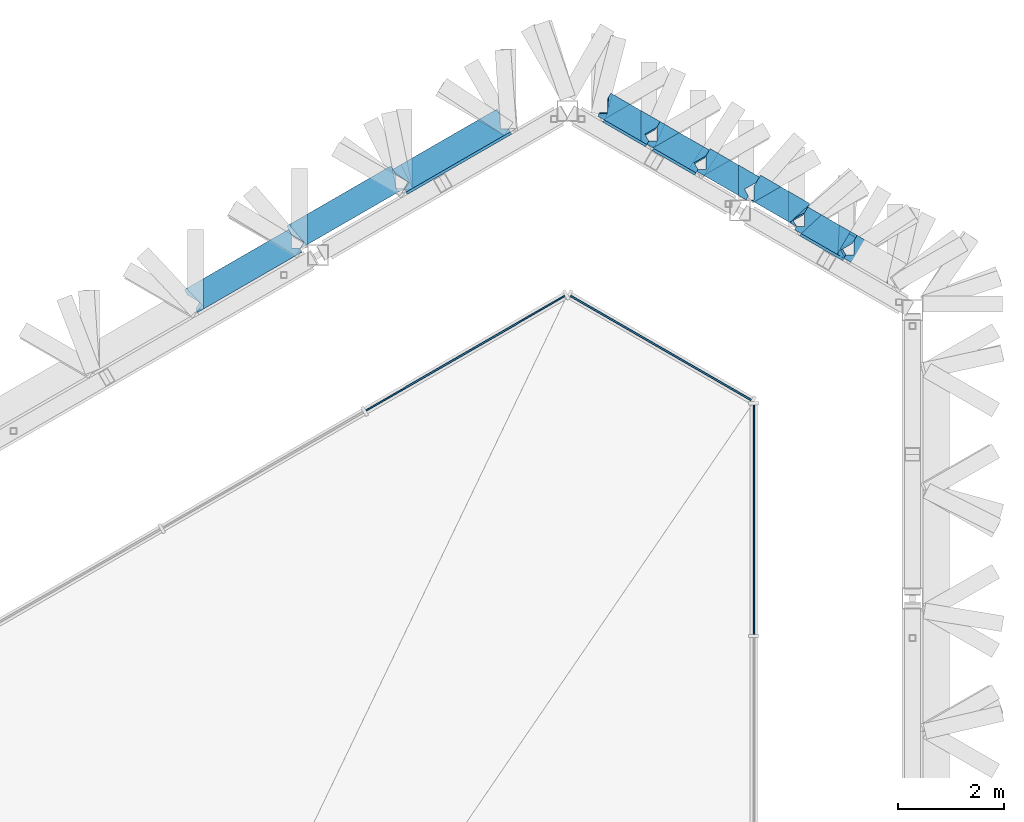
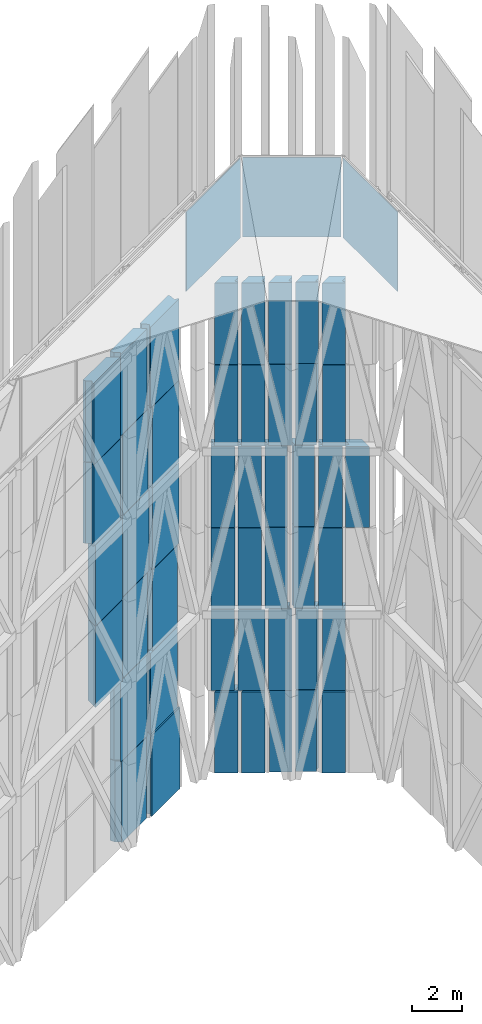
# One storey, part 35 of 45: 50 plates, 3 elements without a shape of their own.
"""IFC4 building model written with IfcOpenShell, lengths in metres."""

import ifcopenshell
import ifcopenshell.guid

model = None  # the IFC model being written
_history = None  # IfcOwnerHistory: only IFC2X3 demands one
_inside = {}  # id of a spatial element -> (the spatial element, [elements in it])
_under = {}  # id of a project, library or spatial element -> (it, [spatial elements below it])
_declared = {}  # id of a project -> (the project, [libraries it declares])
_typed = {}  # id of a type object -> (the type object, [elements of that type])
_made_of = {}  # id of a material, layer set ... -> (it, [elements and type objects made of it])


def new_model(schema):
    """Start an empty IFC model of exactly this schema.

    Asked for "IFC4X3", IfcOpenShell would pick the latest addendum, in which some entities
    have other attributes; the version numbers below select the first issue.
    IFC2X3 requires an IfcOwnerHistory on every rooted entity: one is made here for all.
    """
    global model, _history
    if schema == "IFC4X3":
        model = ifcopenshell.file(schema_version=(4, 3, 0, 0))
    else:
        model = ifcopenshell.file(schema=schema)
    _inside.clear()
    _under.clear()
    _declared.clear()
    _typed.clear()
    _made_of.clear()
    _history = None
    if model.schema == "IFC2X3":
        org = make("IfcOrganization", Name="unknown")
        user = make(
            "IfcPersonAndOrganization",
            ThePerson=make("IfcPerson", FamilyName="unknown"),
            TheOrganization=org,
        )
        app = make(
            "IfcApplication",
            ApplicationDeveloper=org,
            Version="unknown",
            ApplicationFullName="unknown",
            ApplicationIdentifier="unknown",
        )
        _history = make(
            "IfcOwnerHistory",
            OwningUser=user,
            OwningApplication=app,
            ChangeAction="ADDED",
            CreationDate=0,
        )
    return model


def make(cls, **values):
    """One entity of the class cls with the attributes given. An attribute that is None is left unset."""
    return model.create_entity(
        cls, **{name: value for name, value in values.items() if value is not None}
    )


def rooted(cls, **values):
    """An entity with a GlobalId (a new one), such as an element, a storey or a relation."""
    return make(cls, GlobalId=ifcopenshell.guid.new(), OwnerHistory=_history, **values)


def si_unit(unit_type, name, prefix=None):
    """IfcSIUnit, for example si_unit("LENGTHUNIT", "METRE", prefix="MILLI")."""
    return make("IfcSIUnit", UnitType=unit_type, Prefix=prefix, Name=name)


def assignment(units):
    """IfcUnitAssignment: the units of a project."""
    return None if units is None else make("IfcUnitAssignment", Units=units)


def point(xyz):
    """IfcCartesianPoint."""
    return None if xyz is None else make("IfcCartesianPoint", Coordinates=xyz)


def direction(xyz):
    """IfcDirection."""
    return None if xyz is None else make("IfcDirection", DirectionRatios=xyz)


def frame(location, z_axis=None, x_axis=None):
    """IfcAxis2Placement3D, a coordinate frame: its origin and axes. An axis left out is left unset."""
    return make(
        "IfcAxis2Placement3D",
        Location=point(location),
        Axis=direction(z_axis),
        RefDirection=direction(x_axis),
    )


def frame_2d(location, x_axis=None):
    """IfcAxis2Placement2D, a coordinate frame in the plane: its origin and x axis."""
    return make(
        "IfcAxis2Placement2D", Location=point(location), RefDirection=direction(x_axis)
    )


def origin():
    """The frame at (0, 0, 0) with its axes left unset."""
    return frame((0.0, 0.0, 0.0))


def origin_2d():
    """The frame at (0, 0) in the plane with its x axis left unset."""
    return frame_2d((0.0, 0.0))


def place(relative_to, where):
    """IfcLocalPlacement: puts the frame where relative to a parent placement (None: the world)."""
    return make(
        "IfcLocalPlacement", PlacementRelTo=relative_to, RelativePlacement=where
    )


def context(
    kind, dimensions, precision=None, world=None, true_north=None, identifier=None
):
    """IfcGeometricRepresentationContext, for example the 3D "Model" context."""
    return make(
        "IfcGeometricRepresentationContext",
        ContextIdentifier=identifier,
        ContextType=kind,
        CoordinateSpaceDimension=dimensions,
        Precision=precision,
        WorldCoordinateSystem=world,
        TrueNorth=true_north,
    )


def subcontext(parent, identifier, kind, view, scale=None):
    """IfcGeometricRepresentationSubContext, for example "Body" below "Model"."""
    return make(
        "IfcGeometricRepresentationSubContext",
        ContextIdentifier=identifier,
        ContextType=kind,
        ParentContext=parent,
        TargetScale=scale,
        TargetView=view,
    )


def project(units=None, contexts=None):
    """IfcProject with its units and contexts."""
    return rooted(
        "IfcProject",
        Name="project",
        RepresentationContexts=contexts,
        UnitsInContext=assignment(units),
    )


def spatial(cls, under=None, at=None, **own):
    """A site, building, storey or space (cls), placed at a placement, below another one or the project."""
    s = rooted(cls, ObjectPlacement=at, **own)
    if under is not None:
        _under.setdefault(under.id(), (under, []))[1].append(s)
    return s


def polyline(points):
    """IfcPolyline through the points."""
    return make("IfcPolyline", Points=[point(p) for p in points])


def profile(cls, at=None, kind="AREA", **sizes):
    """A parametric profile (cls). Its sizes go by their IFC names, for example OverallWidth=200.0."""
    return make(cls, ProfileType=kind, Position=at, **sizes)


def rectangle(**sizes):
    """IfcRectangleProfileDef."""
    return profile("IfcRectangleProfileDef", **sizes)


def outline(outer, holes=None, kind="AREA"):
    """IfcArbitraryClosedProfileDef: a profile drawn as a closed curve; with holes, ...WithVoids."""
    if holes is None:
        return make("IfcArbitraryClosedProfileDef", ProfileType=kind, OuterCurve=outer)
    return make(
        "IfcArbitraryProfileDefWithVoids",
        ProfileType=kind,
        OuterCurve=outer,
        InnerCurves=holes,
    )


def extrude(swept, where, along, depth):
    """IfcExtrudedAreaSolid: the profile swept, set in the frame where, extruded along a direction by depth."""
    return make(
        "IfcExtrudedAreaSolid",
        SweptArea=swept,
        Position=where,
        ExtrudedDirection=direction(along),
        Depth=depth,
    )


def shape(context_of_items, identifier, shape_type, items):
    """IfcShapeRepresentation: the items that make up one representation, for example the "Body"."""
    return make(
        "IfcShapeRepresentation",
        ContextOfItems=context_of_items,
        RepresentationIdentifier=identifier,
        RepresentationType=shape_type,
        Items=items,
    )


def material(Name=None, Category=None):
    """IfcMaterial."""
    return make("IfcMaterial", Name=Name, Category=Category)


def layer(
    of_material, thickness, ventilated=None, Name=None, Category=None, Priority=None
):
    """IfcMaterialLayer: one layer of a wall or slab, of a material (None: an air gap)."""
    return make(
        "IfcMaterialLayer",
        Material=of_material,
        LayerThickness=thickness,
        IsVentilated=ventilated,
        Name=Name,
        Category=Category,
        Priority=Priority,
    )


def layer_set(layers, Name=None):
    """IfcMaterialLayerSet."""
    return make("IfcMaterialLayerSet", MaterialLayers=layers, LayerSetName=Name)


def made_of(thing, what):
    """Note that an element or type object is made of a material, layer set ...; save() writes the relation."""
    if what is not None:
        _made_of.setdefault(what.id(), (what, []))[1].append(thing)
    return thing


def type_object(cls, material=None, **own):
    """A type object (cls), such as IfcWallType, which elements share."""
    return made_of(rooted(cls, **own), material)


def element(
    cls,
    number,
    at=None,
    inside=None,
    cuts=None,
    type_object=None,
    material=None,
    context=None,
    identifier="Body",
    shape_type=None,
    held_by="IfcProductDefinitionShape",
    body=None,
    shapes=None,
    **own,
):
    """One element of the class cls, such as IfcWall. Its Tag is "e" and its number.

    at: its placement. inside: the storey or other place that contains it. cuts: it is an
    opening in that element (IfcRelVoidsElement). A single representation is given by context,
    identifier, shape_type and body (its items); several are given by shapes. held_by: the class
    of the entity that holds the representations. save() writes the other relations.
    """
    e = rooted(cls, Tag="e%d" % number, ObjectPlacement=at, **own)
    if body is not None:
        shapes = [shape(context, identifier, shape_type, body)]
    if shapes is not None:
        e.Representation = make(held_by, Representations=shapes)
    if inside is not None:
        _inside.setdefault(inside.id(), (inside, []))[1].append(e)
    if cuts is not None:
        rooted(
            "IfcRelVoidsElement", RelatingBuildingElement=cuts, RelatedOpeningElement=e
        )
    if type_object is not None:
        _typed.setdefault(type_object.id(), (type_object, []))[1].append(e)
    return made_of(e, material)


def aggregate(whole, parts):
    """IfcRelAggregates: a whole, such as a stair, and the parts it consists of."""
    return rooted("IfcRelAggregates", RelatingObject=whole, RelatedObjects=parts)


def save(model, path):
    """Write the relations noted so far, then the file.

    IfcRelAggregates (storeys below a building ...), IfcRelContainedInSpatialStructure (elements
    in a storey), IfcRelDefinesByType, IfcRelAssociatesMaterial and IfcRelDeclares: one each for
    every whole, place, type object, material and project.
    """
    for whole, parts in _under.values():
        aggregate(whole, parts)
    for where, things in _inside.values():
        rooted(
            "IfcRelContainedInSpatialStructure",
            RelatedElements=things,
            RelatingStructure=where,
        )
    for kind, things in _typed.values():
        rooted("IfcRelDefinesByType", RelatedObjects=things, RelatingType=kind)
    for what, things in _made_of.values():
        rooted("IfcRelAssociatesMaterial", RelatedObjects=things, RelatingMaterial=what)
    for by, libraries in _declared.values():
        rooted("IfcRelDeclares", RelatingContext=by, RelatedDefinitions=libraries)
    model.write(path)


model = new_model("IFC4")

# Units and contexts
model_context = context("Model", 3, precision=1e-05, world=origin(), true_north=direction((0.0, 1.0)))
body_context = subcontext(model_context, "Body", "Model", "MODEL_VIEW")
ifc_project = project(units=[si_unit("LENGTHUNIT", "METRE"), si_unit("AREAUNIT", "SQUARE_METRE"), si_unit("VOLUMEUNIT", "CUBIC_METRE"), si_unit("PLANEANGLEUNIT", "RADIAN"), si_unit("MASSUNIT", "GRAM", prefix="KILO")], contexts=[model_context])

# Site, building, storey
site_placement = place(None, origin())
site = spatial("IfcSite", under=ifc_project, at=site_placement, CompositionType="ELEMENT")
building_placement = place(site_placement, origin())
building = spatial("IfcBuilding", under=site, at=building_placement, Name="Jabali Bay Hotel Tower and Convention Centre", CompositionType="ELEMENT")
storey_placement = place(building_placement, frame((0.0, 0.0, 322.39990234375)))
storey = spatial("IfcBuildingStorey", under=building, at=storey_placement, Name="Crown", CompositionType="ELEMENT", Elevation=322.39990234375)

# Curtain wall, plate
ifc_material_1 = material(Name="Aluminium and glass", Category="aluminium")
ifc_layer_1 = layer(ifc_material_1, 0.199951171875)
ifc_layer_set_1 = layer_set([ifc_layer_1], Name="Aluminium and glass")
curtain_wall_type = type_object("IfcCurtainWallType", Name="CW6 curtain wall", PredefinedType="NOTDEFINED", material=ifc_layer_set_1)
curtain_wall_1_placement = place(storey_placement, origin())
curtain_wall_1 = element("IfcCurtainWall", 1, at=curtain_wall_1_placement, inside=storey, type_object=curtain_wall_type, Name="CW6 lantern glazing 1", PredefinedType="NOTDEFINED")
ifc_material_2 = material(Name="Glass", Category="glass")
ifc_layer_2 = layer(ifc_material_2, 0.031982421875)
ifc_layer_set_2 = layer_set([ifc_layer_2], Name="Glass")
plate_type_1 = type_object("IfcPlateType", Name="CW6 glass panel 32", PredefinedType="CURTAIN_PANEL", material=ifc_layer_set_2)
plate_1_placement = place(storey_placement, frame((90.148681640625, 99.93798828125, 28.41015625), z_axis=(0.0, 0.0, 1.0), x_axis=(0.0, 1.0, 0.0)))
plate_1 = element("IfcPlate", 2, at=plate_1_placement, type_object=plate_type_1, Name="CW6 panel 10.1", PredefinedType="CURTAIN_PANEL", context=body_context, shape_type="SweptSolid", body=[
    extrude(rectangle(XDim=4.343994140625, YDim=0.031982421875, at=origin_2d()), origin(), (0.0, 0.0, 1.0), 3.8798828125),
])
aggregate(curtain_wall_1, [plate_1])

curtain_wall_2_placement = place(storey_placement, origin())
curtain_wall_2 = element("IfcCurtainWall", 3, at=curtain_wall_2_placement, inside=storey, type_object=curtain_wall_type, Name="CW6 lantern glazing 2", PredefinedType="NOTDEFINED")
plate_2_placement = place(storey_placement, frame((88.386962890625, 103.18701171875, 28.41015625), z_axis=(0.0, 0.0, 1.0), x_axis=(-0.866025418882, 0.499999973851, 0.0)))
plate_2 = element("IfcPlate", 4, at=plate_2_placement, type_object=plate_type_1, Name="CW6 panel 1.1", PredefinedType="CURTAIN_PANEL", context=body_context, shape_type="SweptSolid", body=[
    extrude(rectangle(XDim=3.948486328125, YDim=0.031982421875, at=origin_2d()), origin(), (0.0, 0.0, 1.0), 3.8798828125),
])
aggregate(curtain_wall_2, [plate_2])

curtain_wall_3_placement = place(storey_placement, origin())
curtain_wall_3 = element("IfcCurtainWall", 5, at=curtain_wall_3_placement, inside=storey, type_object=curtain_wall_type, Name="CW6 lantern glazing 3", PredefinedType="NOTDEFINED")
plate_3_placement = place(storey_placement, frame((84.6923828125, 103.088134765625, 28.41015625), z_axis=(0.0, 0.0, 1.0), x_axis=(-0.866025400826, -0.500000005124, 0.0)))
plate_3 = element("IfcPlate", 6, at=plate_3_placement, type_object=plate_type_1, Name="CW6 panel 1.1", PredefinedType="CURTAIN_PANEL", context=body_context, shape_type="SweptSolid", body=[
    extrude(rectangle(XDim=4.343994140625, YDim=0.031982421875, at=origin_2d()), origin(), (0.0, 0.0, 1.0), 3.8798828125),
])
aggregate(curtain_wall_3, [plate_3])

# Plates
ifc_material_3 = material(Name="Precast concrete C60", Category="concrete")
ifc_layer_3 = layer(ifc_material_3, 0.5)
ifc_layer_set_3 = layer_set([ifc_layer_3], Name="Precast concrete C60")
plate_type_2 = type_object("IfcPlateType", Name="Pierced precast screen", PredefinedType="USERDEFINED", material=ifc_layer_set_3)
plate_4_placement = place(storey_placement, frame((0.0, 0.0, 0.010009765625)))
element("IfcPlate", 7, at=plate_4_placement, inside=storey, type_object=plate_type_2, Name="Screen 1.1.22", ObjectType="SCREEN", PredefinedType="USERDEFINED", context=body_context, shape_type="SweptSolid", body=[
    extrude(outline(polyline([(91.006591796875, 105.31201171875), (91.825927734375, 104.8388671875), (91.86328125, 104.90380859375), (91.788330078125, 105.03369140625), (92.013427734375, 105.16357421875), (92.075927734375, 105.27197265625), (91.506591796875, 105.6005859375), (91.006591796875, 105.31201171875)])), origin(), (0.0, 0.0, 1.0), 3.9658203125),
])
plate_5_placement = place(storey_placement, frame((0.0, 0.0, 0.010009765625)))
element("IfcPlate", 8, at=plate_5_placement, inside=storey, type_object=plate_type_2, Name="Screen 1.1.23", ObjectType="SCREEN", PredefinedType="USERDEFINED", context=body_context, shape_type="SweptSolid", body=[
    extrude(outline(polyline([(90.152587890625, 105.947265625), (90.88330078125, 105.525390625), (90.8564453125, 105.57177734375), (91.08154296875, 105.70166015625), (91.20556640625, 105.916748046875), (90.652587890625, 106.236083984375), (90.152587890625, 105.947265625)])), origin(), (0.0, 0.0, 1.0), 3.9658203125),
])
plate_6_placement = place(storey_placement, frame((0.0, 0.0, 0.010009765625)))
element("IfcPlate", 9, at=plate_6_placement, inside=storey, type_object=plate_type_2, Name="Screen 1.1.24", ObjectType="SCREEN", PredefinedType="USERDEFINED", context=body_context, shape_type="SweptSolid", body=[
    extrude(outline(polyline([(89.2236328125, 106.434814453125), (90.00244140625, 105.985107421875), (90.044677734375, 106.058349609375), (89.9697265625, 106.188232421875), (90.19482421875, 106.318115234375), (90.25244140625, 106.418212890625), (89.7236328125, 106.723388671875), (89.2236328125, 106.434814453125)])), origin(), (0.0, 0.0, 1.0), 3.9658203125),
])
plate_7_placement = place(storey_placement, frame((0.0, 0.0, 0.010009765625)))
element("IfcPlate", 10, at=plate_7_placement, inside=storey, type_object=plate_type_2, Name="Screen 1.1.25", ObjectType="SCREEN", PredefinedType="USERDEFINED", context=body_context, shape_type="SweptSolid", body=[
    extrude(outline(polyline([(88.210693359375, 106.92626953125), (89.030029296875, 106.453125), (89.067626953125, 106.51806640625), (88.99267578125, 106.64794921875), (89.217529296875, 106.77783203125), (89.280029296875, 106.885986328125), (88.710693359375, 107.21484375), (88.210693359375, 106.92626953125)])), origin(), (0.0, 0.0, 1.0), 3.9658203125),
])
plate_8_placement = place(storey_placement, frame((0.0, 0.0, 0.010009765625)))
element("IfcPlate", 11, at=plate_8_placement, inside=storey, type_object=plate_type_2, Name="Screen 1.1.26", ObjectType="SCREEN", PredefinedType="USERDEFINED", context=body_context, shape_type="SweptSolid", body=[
    extrude(outline(polyline([(87.27880859375, 107.464111328125), (88.09814453125, 106.9912109375), (88.1357421875, 107.05615234375), (88.060791015625, 107.18603515625), (88.28564453125, 107.31591796875), (88.34814453125, 107.424072265625), (87.77880859375, 107.7529296875), (87.27880859375, 107.464111328125)])), origin(), (0.0, 0.0, 1.0), 3.9658203125),
])
plate_9_placement = place(storey_placement, frame((0.0, 0.0, 0.010009765625)))
element("IfcPlate", 12, at=plate_9_placement, inside=storey, type_object=plate_type_2, Name="Screen 1.2.28", ObjectType="SCREEN", PredefinedType="USERDEFINED", context=body_context, shape_type="SweptSolid", body=[
    extrude(outline(polyline([(83.59326171875, 106.0908203125), (85.564697265625, 107.22900390625), (85.531982421875, 107.285888671875), (85.38232421875, 107.275146484375), (85.360107421875, 107.583251953125), (85.314697265625, 107.662109375), (83.34326171875, 106.52392578125), (83.379150390625, 106.461669921875), (83.650390625, 106.265625), (83.5625, 106.14404296875), (83.59326171875, 106.0908203125)])), origin(), (0.0, 0.0, 1.0), 3.9658203125),
])
plate_10_placement = place(storey_placement, frame((0.0, 0.0, 0.010009765625)))
element("IfcPlate", 13, at=plate_10_placement, inside=storey, type_object=plate_type_2, Name="Screen 1.2.29", ObjectType="SCREEN", PredefinedType="USERDEFINED", context=body_context, shape_type="SweptSolid", body=[
    extrude(outline(polyline([(81.632568359375, 105.10107421875), (83.365234375, 106.1015625), (82.921142578125, 106.422607421875), (81.310302734375, 105.492431640625), (81.434326171875, 105.27734375), (81.659423828125, 105.1474609375), (81.632568359375, 105.10107421875)])), origin(), (0.0, 0.0, 1.0), 3.9658203125),
])
plate_11_placement = place(storey_placement, frame((0.0, 0.0, 3.995849609375)))
element("IfcPlate", 14, at=plate_11_placement, inside=storey, type_object=plate_type_2, Name="Screen 2.1.22", ObjectType="SCREEN", PredefinedType="USERDEFINED", context=body_context, shape_type="SweptSolid", body=[
    extrude(outline(polyline([(91.04150390625, 105.349609375), (91.850830078125, 104.88232421875), (91.884033203125, 104.939453125), (91.80029296875, 105.06396484375), (92.05419921875, 105.234375), (92.100830078125, 105.315185546875), (91.4443359375, 105.6943359375), (91.04150390625, 105.349609375)])), origin(), (0.0, 0.0, 1.0), 3.965576171875),
])
plate_12_placement = place(storey_placement, frame((0.0, 0.0, 3.995849609375)))
element("IfcPlate", 15, at=plate_12_placement, inside=storey, type_object=plate_type_2, Name="Screen 2.1.23", ObjectType="SCREEN", PredefinedType="USERDEFINED", context=body_context, shape_type="SweptSolid", body=[
    extrude(outline(polyline([(90.153564453125, 105.94677734375), (90.8984375, 105.5166015625), (90.846435546875, 105.577392578125), (91.16943359375, 105.85400390625), (91.20556640625, 105.916748046875), (90.489990234375, 106.329833984375), (90.153564453125, 105.94677734375)])), origin(), (0.0, 0.0, 1.0), 3.965576171875),
])
plate_13_placement = place(storey_placement, frame((0.0, 0.0, 3.995849609375)))
element("IfcPlate", 16, at=plate_13_placement, inside=storey, type_object=plate_type_2, Name="Screen 2.1.24", ObjectType="SCREEN", PredefinedType="USERDEFINED", context=body_context, shape_type="SweptSolid", body=[
    extrude(outline(polyline([(89.201416015625, 106.447509765625), (90.00244140625, 105.985107421875), (90.031005859375, 106.034423828125), (89.918212890625, 106.13330078125), (90.19677734375, 106.450439453125), (89.468994140625, 106.870361328125), (89.201416015625, 106.447509765625)])), origin(), (0.0, 0.0, 1.0), 3.965576171875),
])
plate_14_placement = place(storey_placement, frame((0.0, 0.0, 3.995849609375)))
element("IfcPlate", 17, at=plate_14_placement, inside=storey, type_object=plate_type_2, Name="Screen 2.1.25", ObjectType="SCREEN", PredefinedType="USERDEFINED", context=body_context, shape_type="SweptSolid", body=[
    extrude(outline(polyline([(88.123291015625, 107.034423828125), (89.05517578125, 106.496337890625), (89.05810546875, 106.501708984375), (88.931396484375, 106.581787109375), (89.192626953125, 106.994384765625), (88.454345703125, 107.420654296875), (88.27001953125, 106.99072265625), (88.132080078125, 107.0498046875), (88.123291015625, 107.034423828125)])), origin(), (0.0, 0.0, 1.0), 3.965576171875),
])
plate_15_placement = place(storey_placement, frame((0.0, 0.0, 3.995849609375)))
element("IfcPlate", 18, at=plate_15_placement, inside=storey, type_object=plate_type_2, Name="Screen 2.1.26", ObjectType="SCREEN", PredefinedType="USERDEFINED", context=body_context, shape_type="SweptSolid", body=[
    extrude(outline(polyline([(87.19140625, 107.572509765625), (87.994140625, 107.10888671875), (88.192626953125, 107.57177734375), (87.466064453125, 107.9912109375), (87.3564453125, 107.5693359375), (87.211181640625, 107.60693359375), (87.19140625, 107.572509765625)])), origin(), (0.0, 0.0, 1.0), 3.965576171875),
])
plate_16_placement = place(storey_placement, frame((0.0, 0.0, 3.995849609375)))
element("IfcPlate", 19, at=plate_16_placement, inside=storey, type_object=plate_type_2, Name="Screen 2.2.28", ObjectType="SCREEN", PredefinedType="USERDEFINED", context=body_context, shape_type="SweptSolid", body=[
    extrude(outline(polyline([(83.568115234375, 106.13427734375), (85.42333984375, 107.205322265625), (84.958251953125, 107.513916015625), (83.318115234375, 106.567138671875), (83.380859375, 106.458984375), (83.605712890625, 106.3291015625), (83.53076171875, 106.19921875), (83.568115234375, 106.13427734375)])), origin(), (0.0, 0.0, 1.0), 3.965576171875),
])
plate_17_placement = place(storey_placement, frame((0.0, 0.0, 3.995849609375)))
element("IfcPlate", 20, at=plate_17_placement, inside=storey, type_object=plate_type_2, Name="Screen 2.2.29", ObjectType="SCREEN", PredefinedType="USERDEFINED", context=body_context, shape_type="SweptSolid", body=[
    extrude(outline(polyline([(81.561767578125, 105.060302734375), (83.382568359375, 106.111572265625), (82.882568359375, 106.400146484375), (81.310302734375, 105.492431640625), (81.405029296875, 105.328369140625), (81.638427734375, 105.186767578125), (81.561767578125, 105.060302734375)])), origin(), (0.0, 0.0, 1.0), 3.965576171875),
])
plate_18_placement = place(storey_placement, frame((0.0, 0.0, 7.9814453125)))
element("IfcPlate", 21, at=plate_18_placement, inside=storey, type_object=plate_type_2, Name="Screen 3.1.22", ObjectType="SCREEN", PredefinedType="USERDEFINED", context=body_context, shape_type="SweptSolid", body=[
    extrude(outline(polyline([(90.9189453125, 105.42041015625), (91.735107421875, 104.948974609375), (91.7646484375, 105.509521484375), (91.1689453125, 105.853271484375), (91.1064453125, 105.7451171875), (91.1064453125, 105.485107421875), (90.95654296875, 105.485107421875), (90.9189453125, 105.42041015625)])), origin(), (0.0, 0.0, 1.0), 3.9658203125),
])
plate_19_placement = place(storey_placement, frame((0.0, 0.0, 7.9814453125)))
element("IfcPlate", 22, at=plate_19_placement, inside=storey, type_object=plate_type_2, Name="Screen 3.1.23", ObjectType="SCREEN", PredefinedType="USERDEFINED", context=body_context, shape_type="SweptSolid", body=[
    extrude(outline(polyline([(90.0869140625, 105.985107421875), (90.806396484375, 105.56982421875), (90.806396484375, 106.147216796875), (90.273681640625, 106.454833984375), (90.152587890625, 106.244873046875), (90.152587890625, 105.985107421875), (90.0869140625, 105.985107421875)])), origin(), (0.0, 0.0, 1.0), 3.9658203125),
])
plate_20_placement = place(storey_placement, frame((0.0, 0.0, 7.9814453125)))
element("IfcPlate", 23, at=plate_20_placement, inside=storey, type_object=plate_type_2, Name="Screen 3.1.24", ObjectType="SCREEN", PredefinedType="USERDEFINED", context=body_context, shape_type="SweptSolid", body=[
    extrude(outline(polyline([(89.070556640625, 106.523193359375), (89.8525390625, 106.07177734375), (89.8525390625, 106.64892578125), (89.320556640625, 106.9560546875), (89.24267578125, 106.821044921875), (89.24267578125, 106.561279296875), (89.092529296875, 106.561279296875), (89.070556640625, 106.523193359375)])), origin(), (0.0, 0.0, 1.0), 3.9658203125),
])
plate_21_placement = place(storey_placement, frame((0.0, 0.0, 7.9814453125)))
element("IfcPlate", 24, at=plate_21_placement, inside=storey, type_object=plate_type_2, Name="Screen 3.1.25", ObjectType="SCREEN", PredefinedType="USERDEFINED", context=body_context, shape_type="SweptSolid", body=[
    extrude(outline(polyline([(88.123291015625, 107.034423828125), (88.942626953125, 106.561279296875), (88.942626953125, 107.138671875), (88.373291015625, 107.467529296875), (88.310791015625, 107.359130859375), (88.310791015625, 107.099365234375), (88.16064453125, 107.099365234375), (88.123291015625, 107.034423828125)])), origin(), (0.0, 0.0, 1.0), 3.9658203125),
])
plate_22_placement = place(storey_placement, frame((0.0, 0.0, 7.9814453125)))
element("IfcPlate", 25, at=plate_22_placement, inside=storey, type_object=plate_type_2, Name="Screen 3.1.26", ObjectType="SCREEN", PredefinedType="USERDEFINED", context=body_context, shape_type="SweptSolid", body=[
    extrude(outline(polyline([(87.19140625, 107.572509765625), (88.0107421875, 107.099365234375), (88.0107421875, 107.6767578125), (87.44140625, 108.00537109375), (87.378662109375, 107.897216796875), (87.378662109375, 107.637451171875), (87.228759765625, 107.637451171875), (87.19140625, 107.572509765625)])), origin(), (0.0, 0.0, 1.0), 3.9658203125),
])
plate_23_placement = place(storey_placement, frame((0.0, 0.0, 7.9814453125)))
element("IfcPlate", 26, at=plate_23_placement, inside=storey, type_object=plate_type_2, Name="Screen 3.2.28", ObjectType="SCREEN", PredefinedType="USERDEFINED", context=body_context, shape_type="SweptSolid", body=[
    extrude(outline(polyline([(83.697998046875, 106.208984375), (85.427001953125, 107.20751953125), (84.927001953125, 107.49609375), (83.47412109375, 106.6572265625), (83.697998046875, 106.208984375)])), origin(), (0.0, 0.0, 1.0), 3.9658203125),
])
plate_24_placement = place(storey_placement, frame((0.0, 0.0, 7.9814453125)))
element("IfcPlate", 27, at=plate_24_placement, inside=storey, type_object=plate_type_2, Name="Screen 3.2.29", ObjectType="SCREEN", PredefinedType="USERDEFINED", context=body_context, shape_type="SweptSolid", body=[
    extrude(outline(polyline([(81.699951171875, 105.14013671875), (83.40478515625, 106.12451171875), (83.18115234375, 106.572509765625), (81.699951171875, 105.71728515625), (81.699951171875, 105.14013671875)])), origin(), (0.0, 0.0, 1.0), 3.9658203125),
])
plate_25_placement = place(storey_placement, frame((0.0, 0.0, 7.9814453125)))
element("IfcPlate", 28, at=plate_25_placement, inside=storey, type_object=plate_type_2, Name="Screen 3.2.30", ObjectType="SCREEN", PredefinedType="USERDEFINED", context=body_context, shape_type="SweptSolid", body=[
    extrude(outline(polyline([(79.738037109375, 103.9228515625), (81.596923828125, 104.99609375), (81.5498046875, 105.077392578125), (81.39990234375, 105.077392578125), (81.39990234375, 105.337158203125), (81.346923828125, 105.428955078125), (79.738037109375, 104.500244140625), (79.738037109375, 103.9228515625)])), origin(), (0.0, 0.0, 1.0), 3.9658203125),
])
plate_26_placement = place(storey_placement, frame((0.0, 0.0, 11.96728515625)))
element("IfcPlate", 29, at=plate_26_placement, inside=storey, type_object=plate_type_2, Name="Screen 4.1.21", ObjectType="SCREEN", PredefinedType="USERDEFINED", context=body_context, shape_type="SweptSolid", body=[
    extrude(outline(polyline([(91.850830078125, 104.88232421875), (92.67041015625, 104.4091796875), (92.67041015625, 104.986572265625), (92.100830078125, 105.315185546875), (92.038330078125, 105.20703125), (92.038330078125, 104.947265625), (91.888427734375, 104.947265625), (91.850830078125, 104.88232421875)])), origin(), (0.0, 0.0, 1.0), 3.965576171875),
])
plate_27_placement = place(storey_placement, frame((0.0, 0.0, 11.96728515625)))
element("IfcPlate", 30, at=plate_27_placement, inside=storey, type_object=plate_type_2, Name="Screen 4.1.22", ObjectType="SCREEN", PredefinedType="USERDEFINED", context=body_context, shape_type="SweptSolid", body=[
    extrude(outline(polyline([(90.9189453125, 105.42041015625), (91.73828125, 104.947265625), (91.73828125, 105.524658203125), (91.1689453125, 105.853271484375), (91.1064453125, 105.7451171875), (91.1064453125, 105.485107421875), (90.95654296875, 105.485107421875), (90.9189453125, 105.42041015625)])), origin(), (0.0, 0.0, 1.0), 3.965576171875),
])
plate_28_placement = place(storey_placement, frame((0.0, 0.0, 11.96728515625)))
element("IfcPlate", 31, at=plate_28_placement, inside=storey, type_object=plate_type_2, Name="Screen 4.1.23", ObjectType="SCREEN", PredefinedType="USERDEFINED", context=body_context, shape_type="SweptSolid", body=[
    extrude(outline(polyline([(90.0869140625, 105.985107421875), (90.806396484375, 105.56982421875), (90.806396484375, 106.147216796875), (90.273681640625, 106.454833984375), (90.152587890625, 106.244873046875), (90.152587890625, 105.985107421875), (90.0869140625, 105.985107421875)])), origin(), (0.0, 0.0, 1.0), 3.965576171875),
])
plate_29_placement = place(storey_placement, frame((0.0, 0.0, 11.96728515625)))
element("IfcPlate", 32, at=plate_29_placement, inside=storey, type_object=plate_type_2, Name="Screen 4.1.24", ObjectType="SCREEN", PredefinedType="USERDEFINED", context=body_context, shape_type="SweptSolid", body=[
    extrude(outline(polyline([(89.070556640625, 106.523193359375), (89.8525390625, 106.07177734375), (89.8525390625, 106.64892578125), (89.320556640625, 106.9560546875), (89.24267578125, 106.821044921875), (89.24267578125, 106.561279296875), (89.092529296875, 106.561279296875), (89.070556640625, 106.523193359375)])), origin(), (0.0, 0.0, 1.0), 3.965576171875),
])
plate_30_placement = place(storey_placement, frame((0.0, 0.0, 11.96728515625)))
element("IfcPlate", 33, at=plate_30_placement, inside=storey, type_object=plate_type_2, Name="Screen 4.1.25", ObjectType="SCREEN", PredefinedType="USERDEFINED", context=body_context, shape_type="SweptSolid", body=[
    extrude(outline(polyline([(88.123291015625, 107.034423828125), (88.942626953125, 106.561279296875), (88.942626953125, 107.138671875), (88.373291015625, 107.467529296875), (88.310791015625, 107.359130859375), (88.310791015625, 107.099365234375), (88.16064453125, 107.099365234375), (88.123291015625, 107.034423828125)])), origin(), (0.0, 0.0, 1.0), 3.965576171875),
])
plate_31_placement = place(storey_placement, frame((0.0, 0.0, 11.96728515625)))
element("IfcPlate", 34, at=plate_31_placement, inside=storey, type_object=plate_type_2, Name="Screen 4.1.26", ObjectType="SCREEN", PredefinedType="USERDEFINED", context=body_context, shape_type="SweptSolid", body=[
    extrude(outline(polyline([(87.19140625, 107.572509765625), (88.0107421875, 107.099365234375), (88.0107421875, 107.6767578125), (87.44140625, 108.00537109375), (87.40087890625, 107.935302734375), (87.372314453125, 107.614013671875), (87.222900390625, 107.627197265625), (87.19140625, 107.572509765625)])), origin(), (0.0, 0.0, 1.0), 3.965576171875),
])
plate_32_placement = place(storey_placement, frame((0.0, 0.0, 11.96728515625)))
element("IfcPlate", 35, at=plate_32_placement, inside=storey, type_object=plate_type_2, Name="Screen 4.2.28", ObjectType="SCREEN", PredefinedType="USERDEFINED", context=body_context, shape_type="SweptSolid", body=[
    extrude(outline(polyline([(83.6806640625, 106.19921875), (85.53955078125, 107.2724609375), (85.539306640625, 107.273193359375), (85.408935546875, 107.198974609375), (85.162109375, 107.6318359375), (83.6806640625, 106.776611328125), (83.6806640625, 106.19921875)])), origin(), (0.0, 0.0, 1.0), 3.965576171875),
])
plate_33_placement = place(storey_placement, frame((0.0, 0.0, 11.96728515625)))
element("IfcPlate", 36, at=plate_33_placement, inside=storey, type_object=plate_type_2, Name="Screen 4.2.29", ObjectType="SCREEN", PredefinedType="USERDEFINED", context=body_context, shape_type="SweptSolid", body=[
    extrude(outline(polyline([(81.699951171875, 105.14013671875), (83.53173828125, 106.197509765625), (83.53076171875, 106.19921875), (83.380859375, 106.19921875), (83.380859375, 106.458984375), (83.28173828125, 106.630615234375), (81.699951171875, 105.71728515625), (81.699951171875, 105.14013671875)])), origin(), (0.0, 0.0, 1.0), 3.965576171875),
])
plate_34_placement = place(storey_placement, frame((0.0, 0.0, 11.96728515625)))
element("IfcPlate", 37, at=plate_34_placement, inside=storey, type_object=plate_type_2, Name="Screen 4.2.30", ObjectType="SCREEN", PredefinedType="USERDEFINED", context=body_context, shape_type="SweptSolid", body=[
    extrude(outline(polyline([(79.738037109375, 103.9228515625), (81.596923828125, 104.99609375), (81.5498046875, 105.077392578125), (81.39990234375, 105.077392578125), (81.39990234375, 105.337158203125), (81.346923828125, 105.428955078125), (79.738037109375, 104.500244140625), (79.738037109375, 103.9228515625)])), origin(), (0.0, 0.0, 1.0), 3.965576171875),
])
plate_35_placement = place(storey_placement, frame((0.0, 0.0, 15.952880859375)))
element("IfcPlate", 38, at=plate_35_placement, inside=storey, type_object=plate_type_2, Name="Screen 5.1.22", ObjectType="SCREEN", PredefinedType="USERDEFINED", context=body_context, shape_type="SweptSolid", body=[
    extrude(outline(polyline([(91.04296875, 105.3486328125), (91.850830078125, 104.88232421875), (91.8515625, 104.883544921875), (91.722412109375, 104.959716796875), (91.974853515625, 105.387939453125), (91.42724609375, 105.7041015625), (91.04296875, 105.3486328125)])), origin(), (0.0, 0.0, 1.0), 3.9658203125),
])
plate_36_placement = place(storey_placement, frame((0.0, 0.0, 15.952880859375)))
element("IfcPlate", 39, at=plate_36_placement, inside=storey, type_object=plate_type_2, Name="Screen 5.1.23", ObjectType="SCREEN", PredefinedType="USERDEFINED", context=body_context, shape_type="SweptSolid", body=[
    extrude(outline(polyline([(90.152587890625, 105.947265625), (90.875244140625, 105.530029296875), (90.83935546875, 105.56884765625), (91.1943359375, 105.897216796875), (91.20556640625, 105.916748046875), (90.652587890625, 106.236083984375), (90.152587890625, 105.947265625)])), origin(), (0.0, 0.0, 1.0), 3.9658203125),
])
plate_37_placement = place(storey_placement, frame((0.0, 0.0, 15.952880859375)))
element("IfcPlate", 40, at=plate_37_placement, inside=storey, type_object=plate_type_2, Name="Screen 5.1.24", ObjectType="SCREEN", PredefinedType="USERDEFINED", context=body_context, shape_type="SweptSolid", body=[
    extrude(outline(polyline([(89.198486328125, 106.44921875), (90.00244140625, 105.985107421875), (90.044677734375, 106.058349609375), (89.9697265625, 106.188232421875), (90.19482421875, 106.318115234375), (90.25244140625, 106.418212890625), (89.698486328125, 106.738037109375), (89.198486328125, 106.44921875)])), origin(), (0.0, 0.0, 1.0), 3.9658203125),
])
plate_38_placement = place(storey_placement, frame((0.0, 0.0, 15.952880859375)))
element("IfcPlate", 41, at=plate_38_placement, inside=storey, type_object=plate_type_2, Name="Screen 5.1.25", ObjectType="SCREEN", PredefinedType="USERDEFINED", context=body_context, shape_type="SweptSolid", body=[
    extrude(outline(polyline([(88.23583984375, 106.969482421875), (89.05517578125, 106.496337890625), (89.092529296875, 106.561279296875), (89.017578125, 106.691162109375), (89.24267578125, 106.821044921875), (89.30517578125, 106.929443359375), (88.73583984375, 107.258056640625), (88.23583984375, 106.969482421875)])), origin(), (0.0, 0.0, 1.0), 3.9658203125),
])
plate_39_placement = place(storey_placement, frame((0.0, 0.0, 15.952880859375)))
element("IfcPlate", 42, at=plate_39_placement, inside=storey, type_object=plate_type_2, Name="Screen 5.1.26", ObjectType="SCREEN", PredefinedType="USERDEFINED", context=body_context, shape_type="SweptSolid", body=[
    extrude(outline(polyline([(87.3037109375, 107.507568359375), (88.123291015625, 107.034423828125), (88.16064453125, 107.099365234375), (88.085693359375, 107.229248046875), (88.310791015625, 107.359130859375), (88.373291015625, 107.467529296875), (87.8037109375, 107.796142578125), (87.3037109375, 107.507568359375)])), origin(), (0.0, 0.0, 1.0), 3.9658203125),
])
plate_40_placement = place(storey_placement, frame((0.0, 0.0, 15.952880859375)))
element("IfcPlate", 43, at=plate_40_placement, inside=storey, type_object=plate_type_2, Name="Screen 5.2.28", ObjectType="SCREEN", PredefinedType="USERDEFINED", context=body_context, shape_type="SweptSolid", body=[
    extrude(outline(polyline([(83.69140625, 106.205322265625), (85.53955078125, 107.2724609375), (85.502197265625, 107.33740234375), (85.35205078125, 107.33740234375), (85.35205078125, 107.59716796875), (85.28955078125, 107.705322265625), (83.58642578125, 106.721923828125), (83.69140625, 106.205322265625)])), origin(), (0.0, 0.0, 1.0), 3.9658203125),
])
plate_41_placement = place(storey_placement, frame((0.0, 0.0, 15.952880859375)))
element("IfcPlate", 44, at=plate_41_placement, inside=storey, type_object=plate_type_2, Name="Screen 5.2.29", ObjectType="SCREEN", PredefinedType="USERDEFINED", context=body_context, shape_type="SweptSolid", body=[
    extrude(outline(polyline([(81.68505859375, 105.13134765625), (83.46533203125, 106.159423828125), (83.3974609375, 106.1455078125), (83.30810546875, 106.584716796875), (83.28173828125, 106.630615234375), (81.353515625, 105.517333984375), (81.68505859375, 105.13134765625)])), origin(), (0.0, 0.0, 1.0), 3.9658203125),
])
plate_42_placement = place(storey_placement, frame((0.0, 0.0, 15.952880859375)))
element("IfcPlate", 45, at=plate_42_placement, inside=storey, type_object=plate_type_2, Name="Screen 5.2.30", ObjectType="SCREEN", PredefinedType="USERDEFINED", context=body_context, shape_type="SweptSolid", body=[
    extrude(outline(polyline([(79.62548828125, 103.85791015625), (81.46923828125, 104.92236328125), (81.1376953125, 105.308349609375), (79.37548828125, 104.290771484375), (79.43798828125, 104.1826171875), (79.662841796875, 104.052734375), (79.587890625, 103.9228515625), (79.62548828125, 103.85791015625)])), origin(), (0.0, 0.0, 1.0), 3.9658203125),
])
plate_43_placement = place(storey_placement, frame((0.0, 0.0, 19.938720703125)))
element("IfcPlate", 46, at=plate_43_placement, inside=storey, type_object=plate_type_2, Name="Screen 6.1.22", ObjectType="SCREEN", PredefinedType="USERDEFINED", context=body_context, shape_type="SweptSolid", body=[
    extrude(outline(polyline([(91.031494140625, 105.355224609375), (91.850830078125, 104.88232421875), (91.888427734375, 104.947265625), (91.8134765625, 105.0771484375), (92.038330078125, 105.20703125), (92.100830078125, 105.315185546875), (91.531494140625, 105.64404296875), (91.031494140625, 105.355224609375)])), origin(), (0.0, 0.0, 1.0), 3.965576171875),
])
plate_44_placement = place(storey_placement, frame((0.0, 0.0, 19.938720703125)))
element("IfcPlate", 47, at=plate_44_placement, inside=storey, type_object=plate_type_2, Name="Screen 6.1.23", ObjectType="SCREEN", PredefinedType="USERDEFINED", context=body_context, shape_type="SweptSolid", body=[
    extrude(outline(polyline([(90.152587890625, 105.947265625), (90.95556640625, 105.483642578125), (90.95654296875, 105.485107421875), (90.88134765625, 105.615234375), (91.1064453125, 105.7451171875), (91.20556640625, 105.916748046875), (90.652587890625, 106.236083984375), (90.152587890625, 105.947265625)])), origin(), (0.0, 0.0, 1.0), 3.965576171875),
])
plate_45_placement = place(storey_placement, frame((0.0, 0.0, 19.938720703125)))
element("IfcPlate", 48, at=plate_45_placement, inside=storey, type_object=plate_type_2, Name="Screen 6.1.24", ObjectType="SCREEN", PredefinedType="USERDEFINED", context=body_context, shape_type="SweptSolid", body=[
    extrude(outline(polyline([(89.198486328125, 106.44921875), (90.00244140625, 105.985107421875), (90.044677734375, 106.058349609375), (89.9697265625, 106.188232421875), (90.19482421875, 106.318115234375), (90.25244140625, 106.418212890625), (89.698486328125, 106.738037109375), (89.198486328125, 106.44921875)])), origin(), (0.0, 0.0, 1.0), 3.965576171875),
])
plate_46_placement = place(storey_placement, frame((0.0, 0.0, 19.938720703125)))
element("IfcPlate", 49, at=plate_46_placement, inside=storey, type_object=plate_type_2, Name="Screen 6.1.25", ObjectType="SCREEN", PredefinedType="USERDEFINED", context=body_context, shape_type="SweptSolid", body=[
    extrude(outline(polyline([(88.23583984375, 106.969482421875), (89.05517578125, 106.496337890625), (89.092529296875, 106.561279296875), (89.017578125, 106.691162109375), (89.24267578125, 106.821044921875), (89.30517578125, 106.929443359375), (88.73583984375, 107.258056640625), (88.23583984375, 106.969482421875)])), origin(), (0.0, 0.0, 1.0), 3.965576171875),
])
plate_47_placement = place(storey_placement, frame((0.0, 0.0, 19.938720703125)))
element("IfcPlate", 50, at=plate_47_placement, inside=storey, type_object=plate_type_2, Name="Screen 6.1.26", ObjectType="SCREEN", PredefinedType="USERDEFINED", context=body_context, shape_type="SweptSolid", body=[
    extrude(outline(polyline([(87.3037109375, 107.507568359375), (88.123291015625, 107.034423828125), (88.16064453125, 107.099365234375), (88.085693359375, 107.229248046875), (88.310791015625, 107.359130859375), (88.373291015625, 107.467529296875), (87.8037109375, 107.796142578125), (87.3037109375, 107.507568359375)])), origin(), (0.0, 0.0, 1.0), 3.965576171875),
])
plate_48_placement = place(storey_placement, frame((0.0, 0.0, 19.938720703125)))
element("IfcPlate", 51, at=plate_48_placement, inside=storey, type_object=plate_type_2, Name="Screen 6.2.28", ObjectType="SCREEN", PredefinedType="USERDEFINED", context=body_context, shape_type="SweptSolid", body=[
    extrude(outline(polyline([(83.568115234375, 106.13427734375), (85.53955078125, 107.2724609375), (85.5068359375, 107.3291015625), (85.357177734375, 107.318359375), (85.335205078125, 107.626708984375), (85.28955078125, 107.705322265625), (83.318115234375, 106.567138671875), (83.354248046875, 106.5048828125), (83.62548828125, 106.308837890625), (83.53759765625, 106.187255859375), (83.568115234375, 106.13427734375)])), origin(), (0.0, 0.0, 1.0), 3.965576171875),
])
plate_49_placement = place(storey_placement, frame((0.0, 0.0, 19.938720703125)))
element("IfcPlate", 52, at=plate_49_placement, inside=storey, type_object=plate_type_2, Name="Screen 6.2.29", ObjectType="SCREEN", PredefinedType="USERDEFINED", context=body_context, shape_type="SweptSolid", body=[
    extrude(outline(polyline([(81.560302734375, 105.059326171875), (83.384765625, 106.11279296875), (82.940673828125, 106.433837890625), (81.310302734375, 105.492431640625), (81.409423828125, 105.32080078125), (81.63427734375, 105.19091796875), (81.559326171875, 105.06103515625), (81.560302734375, 105.059326171875)])), origin(), (0.0, 0.0, 1.0), 3.965576171875),
])
plate_50_placement = place(storey_placement, frame((0.0, 0.0, 19.938720703125)))
element("IfcPlate", 53, at=plate_50_placement, inside=storey, type_object=plate_type_2, Name="Screen 6.2.30", ObjectType="SCREEN", PredefinedType="USERDEFINED", context=body_context, shape_type="SweptSolid", body=[
    extrude(outline(polyline([(79.62548828125, 103.85791015625), (81.484375, 104.93115234375), (80.984375, 105.2197265625), (79.37548828125, 104.290771484375), (79.43798828125, 104.1826171875), (79.662841796875, 104.052734375), (79.587890625, 103.9228515625), (79.62548828125, 103.85791015625)])), origin(), (0.0, 0.0, 1.0), 3.965576171875),
])

save(model, "model.ifc")
